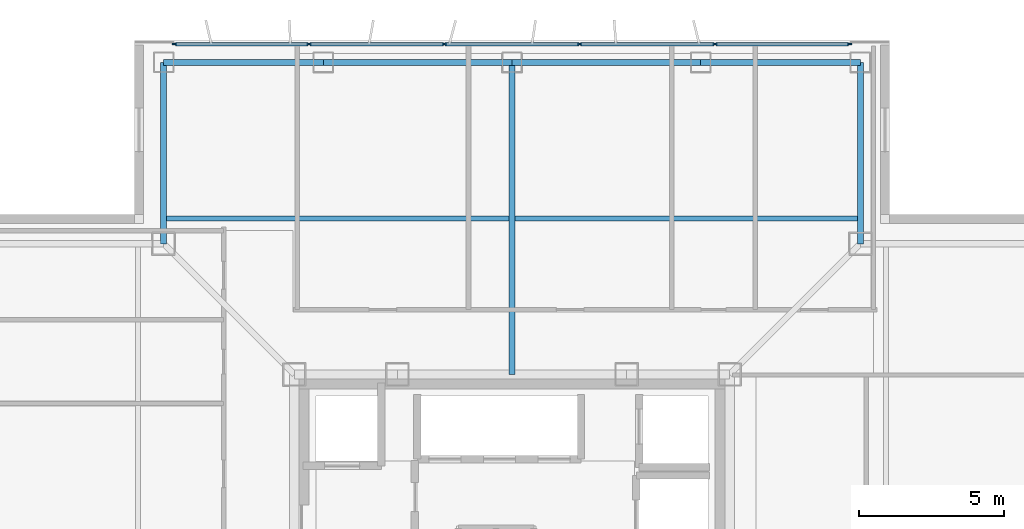
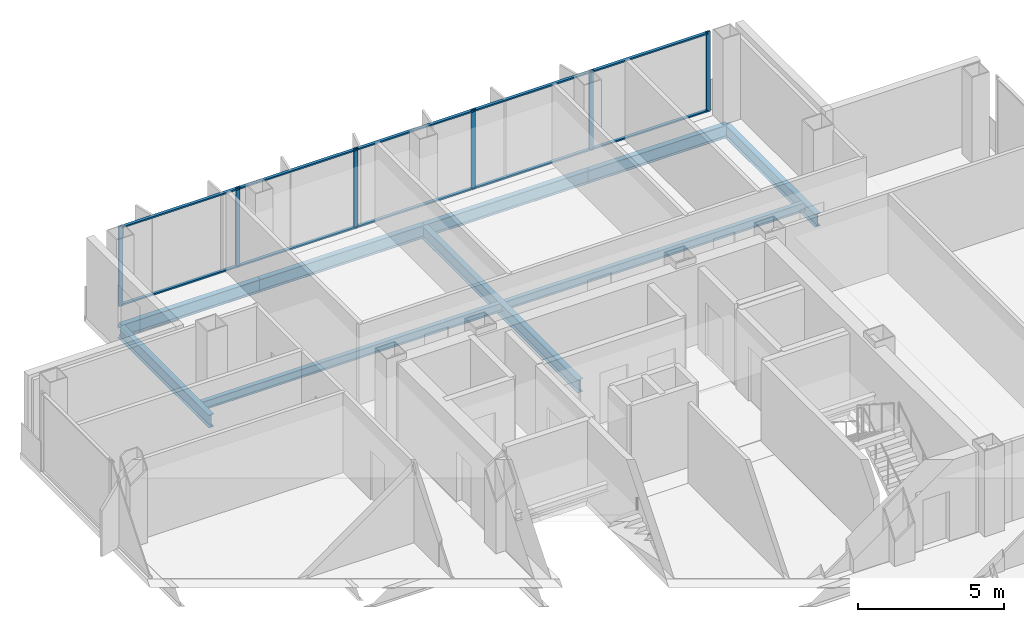
# One storey, part 6 of 15: 16 members, 8 beams, 1 element without a shape of its own.
"""IFC4 building model written with IfcOpenShell, lengths in metres."""

from ifc_helpers import new_model, si_unit, direction, frame, origin, origin_2d, place, context, subcontext, project, spatial, rectangle, i_section, extrude, material, layer, layer_set, material_profile, profile_set, type_object, element, aggregate, save


model = new_model("IFC4")

# Units and contexts
model_context = context("Model", 3, precision=1e-05, world=origin(), true_north=direction((0.0, 1.0)))
body_context = subcontext(model_context, "Body", "Model", "MODEL_VIEW")
ifc_project = project(units=[si_unit("LENGTHUNIT", "METRE"), si_unit("AREAUNIT", "SQUARE_METRE"), si_unit("VOLUMEUNIT", "CUBIC_METRE"), si_unit("PLANEANGLEUNIT", "RADIAN"), si_unit("MASSUNIT", "GRAM", prefix="KILO")], contexts=[model_context])

# Site, building, storey
site_placement = place(None, origin())
site = spatial("IfcSite", under=ifc_project, at=site_placement, CompositionType="ELEMENT")
building_placement = place(site_placement, origin())
building = spatial("IfcBuilding", under=site, at=building_placement, Name="Trevonay Congress Spire", CompositionType="ELEMENT")
storey_placement = place(building_placement, frame((0.0, 0.0, 239.60009765625)))
storey = spatial("IfcBuildingStorey", under=building, at=storey_placement, Name="L62", CompositionType="ELEMENT", Elevation=239.60009765625)

# Beams
ifc_material_1 = material(Name="Steel ASTM A572 Grade 50", Category="steel")
ifc_material_profile_1 = material_profile(ifc_material_1, i_section(OverallWidth=0.2119140625, OverallDepth=0.5439453125, WebThickness=0.01318359375, FlangeThickness=0.021240234375, FilletRadius=0.014892578125, at=origin_2d()), Name="W530x123")
ifc_profile_set_1 = profile_set([ifc_material_profile_1], Name="Steel ASTM A572 Grade 50")
beam_type_1 = type_object("IfcBeamType", Name="BM-GIRD-W530X123", PredefinedType="BEAM", material=ifc_profile_set_1)
beam_1_placement = place(storey_placement, frame((0.0, 7.5, -0.51220703125), z_axis=(0.0, 1.0, 0.0), x_axis=(-1.0, 0.0, 0.0)))
element("IfcBeam", 1, at=beam_1_placement, inside=storey, type_object=beam_type_1, Name="L62 structural beam BM-L62-GC-N", PredefinedType="BEAM", context=body_context, shape_type="SweptSolid", body=[
    extrude(i_section(OverallWidth=0.2119140625, OverallDepth=0.5439453125, WebThickness=0.01318359375, FlangeThickness=0.021240234375, FilletRadius=0.014892578125, at=origin_2d()), origin(), (0.0, 0.0, 1.0), 10.75),
])
ifc_material_profile_2 = material_profile(ifc_material_1, i_section(OverallWidth=0.208984375, OverallDepth=0.532958984375, WebThickness=0.01025390625, FlangeThickness=0.015625, FilletRadius=0.014892578125, at=origin_2d()), Name="W530x92")
ifc_profile_set_2 = profile_set([ifc_material_profile_2], Name="Steel ASTM A572 Grade 50")
beam_type_2 = type_object("IfcBeamType", Name="BM-RING-W530X92", PredefinedType="BEAM", material=ifc_profile_set_2)
beam_2_placement = place(storey_placement, frame((-12.0, 18.25, -0.506591796875), z_axis=(1.0, 0.0, 0.0), x_axis=(0.0, 1.0, 0.0)))
element("IfcBeam", 2, at=beam_2_placement, inside=storey, type_object=beam_type_2, Name="L62 structural beam BM-L62-PN1", PredefinedType="BEAM", context=body_context, shape_type="SweptSolid", body=[
    extrude(i_section(OverallWidth=0.208984375, OverallDepth=0.532958984375, WebThickness=0.01025390625, FlangeThickness=0.015625, FilletRadius=0.014892578125, at=origin_2d()), origin(), (0.0, 0.0, 1.0), 5.5),
])
for number, where, z_axis, x_axis, name in (
    (3, (-6.5, 18.25, -0.506591796875), (1.0, 0.0, 0.0), (0.0, 1.0, 0.0), "L62 structural beam BM-L62-PN2"),
    (4, (0.0, 18.25, -0.506591796875), (1.0, 0.0, 0.0), (0.0, 1.0, 0.0), "L62 structural beam BM-L62-PN3"),
):
    element("IfcBeam", number, at=place(storey_placement, frame(where, z_axis=z_axis, x_axis=x_axis)), inside=storey, type_object=beam_type_2, Name=name, PredefinedType="BEAM", context=body_context, shape_type="SweptSolid", body=[
        extrude(i_section(OverallWidth=0.208984375, OverallDepth=0.532958984375, WebThickness=0.01025390625, FlangeThickness=0.015625, FilletRadius=0.014892578125, at=origin_2d()), origin(), (0.0, 0.0, 1.0), 6.5),
    ])
beam_3_placement = place(storey_placement, frame((6.5, 18.25, -0.506591796875), z_axis=(1.0, 0.0, 0.0), x_axis=(0.0, 1.0, 0.0)))
element("IfcBeam", 5, at=beam_3_placement, inside=storey, type_object=beam_type_2, Name="L62 structural beam BM-L62-PN4", PredefinedType="BEAM", context=body_context, shape_type="SweptSolid", body=[
    extrude(i_section(OverallWidth=0.208984375, OverallDepth=0.532958984375, WebThickness=0.01025390625, FlangeThickness=0.015625, FilletRadius=0.014892578125, at=origin_2d()), origin(), (0.0, 0.0, 1.0), 5.5),
])
for number, where, z_axis, x_axis, name in (
    (6, (12.0, 18.25, -0.506591796875), (0.0, -1.0, 0.0), (1.0, 0.0, 0.0), "L62 structural beam BM-L62-N1NE"),
    (7, (-12.0, 18.25, -0.506591796875), (0.0, -1.0, 0.0), (1.0, 0.0, 0.0), "L62 structural beam BM-L62-N1NW"),
):
    element("IfcBeam", number, at=place(storey_placement, frame(where, z_axis=z_axis, x_axis=x_axis)), inside=storey, type_object=beam_type_2, Name=name, PredefinedType="BEAM", context=body_context, shape_type="SweptSolid", body=[
        extrude(i_section(OverallWidth=0.208984375, OverallDepth=0.532958984375, WebThickness=0.01025390625, FlangeThickness=0.015625, FilletRadius=0.014892578125, at=origin_2d()), origin(), (0.0, 0.0, 1.0), 6.25),
    ])

# Curtain wall, members
ifc_material_2 = material(Name="Pale Anodised Aluminium EN AW-6063-T6", Category="aluminium")
ifc_layer = layer(ifc_material_2, 0.1650390625, Name="Pale Anodised Aluminium EN AW-6063-T6")
ifc_layer_set = layer_set([ifc_layer], Name="Pale Anodised Aluminium EN AW-6063-T6")
curtain_wall_type = type_object("IfcCurtainWallType", Name="CW-SYS05-DIPLOM-PALE-METAL", PredefinedType="NOTDEFINED", material=ifc_layer_set)
curtain_wall_placement = place(storey_placement, origin())
curtain_wall = element("IfcCurtainWall", 8, at=curtain_wall_placement, inside=storey, type_object=curtain_wall_type, Name="L62 N unitised curtain wall", PredefinedType="NOTDEFINED")
ifc_material_profile_3 = material_profile(ifc_material_2, rectangle(XDim=0.06005859375, YDim=0.159912109375, at=origin_2d()), Name="CW-MULLION-160-ALUMINIUM")
ifc_profile_set_3 = profile_set([ifc_material_profile_3], Name="Pale Anodised Aluminium EN AW-6063-T6")
member_type_1 = type_object("IfcMemberType", Name="CW-MULLION-160-ALUMINIUM", PredefinedType="MULLION", material=ifc_profile_set_3)
member_1_placement = place(storey_placement, frame((-11.6201171875, 18.8798828125, 0.0), z_axis=(0.0, 0.0, 1.0), x_axis=(0.0, 1.0, 0.0)))
member_1 = element("IfcMember", 9, at=member_1_placement, type_object=member_type_1, Name="CW05 mullion 1", PredefinedType="MULLION", context=body_context, shape_type="SweptSolid", body=[
    extrude(rectangle(XDim=0.06005859375, YDim=0.159912109375, at=origin_2d()), origin(), (0.0, 0.0, 1.0), 3.35986328125),
])
member_2_placement = place(storey_placement, frame((-6.989990234375, 18.8798828125, 0.0), z_axis=(0.0, 0.0, 1.0), x_axis=(0.0, 1.0, 0.0)))
member_2 = element("IfcMember", 10, at=member_2_placement, type_object=member_type_1, Name="CW05 mullion 2", PredefinedType="MULLION", context=body_context, shape_type="SweptSolid", body=[
    extrude(rectangle(XDim=0.06005859375, YDim=0.159912109375, at=origin_2d()), origin(), (0.0, 0.0, 1.0), 3.35986328125),
])
member_3_placement = place(storey_placement, frame((-2.330078125, 18.8798828125, 0.0), z_axis=(0.0, 0.0, 1.0), x_axis=(0.0, 1.0, 0.0)))
member_3 = element("IfcMember", 11, at=member_3_placement, type_object=member_type_1, Name="CW05 mullion 3", PredefinedType="MULLION", context=body_context, shape_type="SweptSolid", body=[
    extrude(rectangle(XDim=0.06005859375, YDim=0.159912109375, at=origin_2d()), origin(), (0.0, 0.0, 1.0), 3.35986328125),
])
member_4_placement = place(storey_placement, frame((2.330078125, 18.8798828125, 0.0), z_axis=(0.0, 0.0, 1.0), x_axis=(0.0, 1.0, 0.0)))
member_4 = element("IfcMember", 12, at=member_4_placement, type_object=member_type_1, Name="CW05 mullion 4", PredefinedType="MULLION", context=body_context, shape_type="SweptSolid", body=[
    extrude(rectangle(XDim=0.06005859375, YDim=0.159912109375, at=origin_2d()), origin(), (0.0, 0.0, 1.0), 3.35986328125),
])
member_5_placement = place(storey_placement, frame((6.989990234375, 18.8798828125, 0.0), z_axis=(0.0, 0.0, 1.0), x_axis=(0.0, 1.0, 0.0)))
member_5 = element("IfcMember", 13, at=member_5_placement, type_object=member_type_1, Name="CW05 mullion 5", PredefinedType="MULLION", context=body_context, shape_type="SweptSolid", body=[
    extrude(rectangle(XDim=0.06005859375, YDim=0.159912109375, at=origin_2d()), origin(), (0.0, 0.0, 1.0), 3.35986328125),
])
member_6_placement = place(storey_placement, frame((11.6201171875, 18.8798828125, 0.0), z_axis=(0.0, 0.0, 1.0), x_axis=(0.0, 1.0, 0.0)))
member_6 = element("IfcMember", 14, at=member_6_placement, type_object=member_type_1, Name="CW05 mullion 6", PredefinedType="MULLION", context=body_context, shape_type="SweptSolid", body=[
    extrude(rectangle(XDim=0.06005859375, YDim=0.159912109375, at=origin_2d()), origin(), (0.0, 0.0, 1.0), 3.35986328125),
])
ifc_material_profile_4 = material_profile(ifc_material_2, rectangle(XDim=0.1201171875, YDim=0.06005859375, at=origin_2d()), Name="CW-TRANSOM-120-ALUMINIUM")
ifc_profile_set_4 = profile_set([ifc_material_profile_4], Name="Pale Anodised Aluminium EN AW-6063-T6")
member_type_2 = type_object("IfcMemberType", Name="CW-TRANSOM-120-ALUMINIUM", PredefinedType="USERDEFINED", material=ifc_profile_set_4)
member_7_placement = place(storey_placement, frame((-11.590087890625, 18.8798828125, 0.059814453125), z_axis=(1.0, 0.0, 0.0), x_axis=(0.0, 1.0, 0.0)))
member_7 = element("IfcMember", 15, at=member_7_placement, type_object=member_type_2, Name="CW05 transom 1.1", ObjectType="TRANSOM", PredefinedType="USERDEFINED", context=body_context, shape_type="SweptSolid", body=[
    extrude(rectangle(XDim=0.1201171875, YDim=0.06005859375, at=origin_2d()), origin(), (0.0, 0.0, 1.0), 4.570068359375),
])
member_8_placement = place(storey_placement, frame((-11.590087890625, 18.8798828125, 3.2998046875), z_axis=(1.0, 0.0, 0.0), x_axis=(0.0, 1.0, 0.0)))
member_8 = element("IfcMember", 16, at=member_8_placement, type_object=member_type_2, Name="CW05 transom 1.2", ObjectType="TRANSOM", PredefinedType="USERDEFINED", context=body_context, shape_type="SweptSolid", body=[
    extrude(rectangle(XDim=0.1201171875, YDim=0.06005859375, at=origin_2d()), origin(), (0.0, 0.0, 1.0), 4.570068359375),
])
member_9_placement = place(storey_placement, frame((-6.9599609375, 18.8798828125, 0.059814453125), z_axis=(1.0, 0.0, 0.0), x_axis=(0.0, 1.0, 0.0)))
member_9 = element("IfcMember", 17, at=member_9_placement, type_object=member_type_2, Name="CW05 transom 2.1", ObjectType="TRANSOM", PredefinedType="USERDEFINED", context=body_context, shape_type="SweptSolid", body=[
    extrude(rectangle(XDim=0.1201171875, YDim=0.06005859375, at=origin_2d()), origin(), (0.0, 0.0, 1.0), 4.599853515625),
])
member_10_placement = place(storey_placement, frame((-6.9599609375, 18.8798828125, 3.2998046875), z_axis=(1.0, 0.0, 0.0), x_axis=(0.0, 1.0, 0.0)))
member_10 = element("IfcMember", 18, at=member_10_placement, type_object=member_type_2, Name="CW05 transom 2.2", ObjectType="TRANSOM", PredefinedType="USERDEFINED", context=body_context, shape_type="SweptSolid", body=[
    extrude(rectangle(XDim=0.1201171875, YDim=0.06005859375, at=origin_2d()), origin(), (0.0, 0.0, 1.0), 4.599853515625),
])
member_11_placement = place(storey_placement, frame((-2.300048828125, 18.8798828125, 0.059814453125), z_axis=(1.0, 0.0, 0.0), x_axis=(0.0, 1.0, 0.0)))
member_11 = element("IfcMember", 19, at=member_11_placement, type_object=member_type_2, Name="CW05 transom 3.1", ObjectType="TRANSOM", PredefinedType="USERDEFINED", context=body_context, shape_type="SweptSolid", body=[
    extrude(rectangle(XDim=0.1201171875, YDim=0.06005859375, at=origin_2d()), origin(), (0.0, 0.0, 1.0), 4.60009765625),
])
member_12_placement = place(storey_placement, frame((-2.300048828125, 18.8798828125, 3.2998046875), z_axis=(1.0, 0.0, 0.0), x_axis=(0.0, 1.0, 0.0)))
member_12 = element("IfcMember", 20, at=member_12_placement, type_object=member_type_2, Name="CW05 transom 3.2", ObjectType="TRANSOM", PredefinedType="USERDEFINED", context=body_context, shape_type="SweptSolid", body=[
    extrude(rectangle(XDim=0.1201171875, YDim=0.06005859375, at=origin_2d()), origin(), (0.0, 0.0, 1.0), 4.60009765625),
])
member_13_placement = place(storey_placement, frame((2.360107421875, 18.8798828125, 0.059814453125), z_axis=(1.0, 0.0, 0.0), x_axis=(0.0, 1.0, 0.0)))
member_13 = element("IfcMember", 21, at=member_13_placement, type_object=member_type_2, Name="CW05 transom 4.1", ObjectType="TRANSOM", PredefinedType="USERDEFINED", context=body_context, shape_type="SweptSolid", body=[
    extrude(rectangle(XDim=0.1201171875, YDim=0.06005859375, at=origin_2d()), origin(), (0.0, 0.0, 1.0), 4.599853515625),
])
member_14_placement = place(storey_placement, frame((2.360107421875, 18.8798828125, 3.2998046875), z_axis=(1.0, 0.0, 0.0), x_axis=(0.0, 1.0, 0.0)))
member_14 = element("IfcMember", 22, at=member_14_placement, type_object=member_type_2, Name="CW05 transom 4.2", ObjectType="TRANSOM", PredefinedType="USERDEFINED", context=body_context, shape_type="SweptSolid", body=[
    extrude(rectangle(XDim=0.1201171875, YDim=0.06005859375, at=origin_2d()), origin(), (0.0, 0.0, 1.0), 4.599853515625),
])
member_15_placement = place(storey_placement, frame((7.02001953125, 18.8798828125, 0.059814453125), z_axis=(1.0, 0.0, 0.0), x_axis=(0.0, 1.0, 0.0)))
member_15 = element("IfcMember", 23, at=member_15_placement, type_object=member_type_2, Name="CW05 transom 5.1", ObjectType="TRANSOM", PredefinedType="USERDEFINED", context=body_context, shape_type="SweptSolid", body=[
    extrude(rectangle(XDim=0.1201171875, YDim=0.06005859375, at=origin_2d()), origin(), (0.0, 0.0, 1.0), 4.570068359375),
])
member_16_placement = place(storey_placement, frame((7.02001953125, 18.8798828125, 3.2998046875), z_axis=(1.0, 0.0, 0.0), x_axis=(0.0, 1.0, 0.0)))
member_16 = element("IfcMember", 24, at=member_16_placement, type_object=member_type_2, Name="CW05 transom 5.2", ObjectType="TRANSOM", PredefinedType="USERDEFINED", context=body_context, shape_type="SweptSolid", body=[
    extrude(rectangle(XDim=0.1201171875, YDim=0.06005859375, at=origin_2d()), origin(), (0.0, 0.0, 1.0), 4.570068359375),
])
aggregate(curtain_wall, [member_1, member_2, member_3, member_4, member_5, member_6, member_7, member_8, member_9, member_10, member_11, member_12, member_13, member_14, member_15, member_16])

# Beam
ifc_material_profile_5 = material_profile(ifc_material_1, i_section(OverallWidth=0.172119140625, OverallDepth=0.35791015625, WebThickness=0.0078125, FlangeThickness=0.01318359375, FilletRadius=0.011962890625, at=origin_2d()), Name="W360x57.8")
ifc_profile_set_5 = profile_set([ifc_material_profile_5], Name="Steel ASTM A572 Grade 50")
beam_type_3 = type_object("IfcBeamType", Name="JS-COMP-W360X57", PredefinedType="JOIST", material=ifc_profile_set_5)
beam_4_placement = place(storey_placement, frame((-12.0, 12.875, -0.419189453125), z_axis=(1.0, 0.0, 0.0), x_axis=(0.0, 1.0, 0.0)))
element("IfcBeam", 25, at=beam_4_placement, inside=storey, type_object=beam_type_3, Name="L62 structural beam JS-L62-RING-N", PredefinedType="JOIST", context=body_context, shape_type="SweptSolid", body=[
    extrude(i_section(OverallWidth=0.172119140625, OverallDepth=0.35791015625, WebThickness=0.0078125, FlangeThickness=0.01318359375, FilletRadius=0.011962890625, at=origin_2d()), origin(), (0.0, 0.0, 1.0), 24.0),
])

save(model, "model.ifc")
